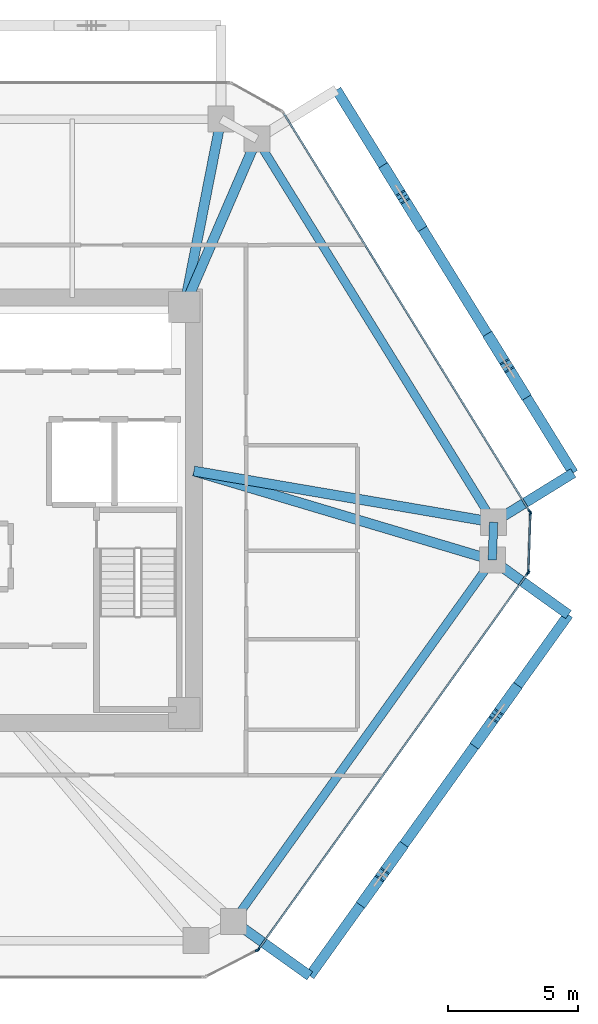
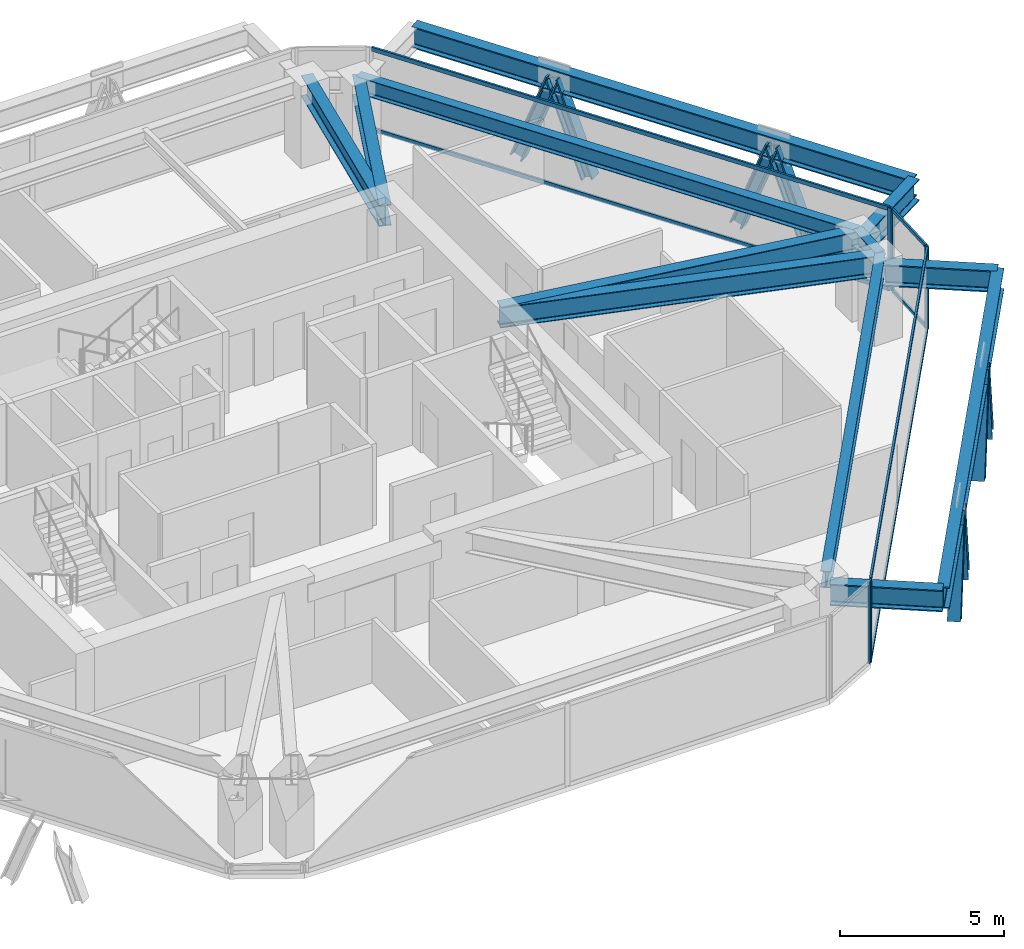
# One storey, part 5 of 13: 20 members, 12 beams, 4 elements without a shape of their own.
"""IFC4 building model written with IfcOpenShell, lengths in metres."""

from ifc_helpers import new_model, si_unit, direction, frame, origin, origin_2d, place, context, subcontext, project, spatial, rectangle, i_section, extrude, source, transform, mapped, material, layer, layer_set, material_profile, profile_set, type_object, type_shapes, element, aggregate, save


model = new_model("IFC4")

# Units and contexts
model_context = context("Model", 3, precision=1e-05, world=origin(), true_north=direction((0.0, 1.0)))
body_context = subcontext(model_context, "Body", "Model", "MODEL_VIEW")
ifc_project = project(units=[si_unit("LENGTHUNIT", "METRE"), si_unit("AREAUNIT", "SQUARE_METRE"), si_unit("VOLUMEUNIT", "CUBIC_METRE"), si_unit("PLANEANGLEUNIT", "RADIAN"), si_unit("MASSUNIT", "GRAM", prefix="KILO")], contexts=[model_context])

# Site, building, storey
site_placement = place(None, origin())
site = spatial("IfcSite", under=ifc_project, at=site_placement, CompositionType="ELEMENT")
building_placement = place(site_placement, origin())
building = spatial("IfcBuilding", under=site, at=building_placement, Name="Durnholm Broadcast Tower", CompositionType="ELEMENT")
storey_placement = place(building_placement, frame((0.0, 0.0, 167.199951171875)))
storey = spatial("IfcBuildingStorey", under=building, at=storey_placement, Name="L45", CompositionType="ELEMENT", Elevation=167.199951171875)

# Beams
ifc_material_1 = material(Name="Steel ASTM A992 Grade 50", Category="steel")
ifc_material_profile_1 = material_profile(ifc_material_1, i_section(OverallWidth=0.385009765625, OverallDepth=0.802978515625, WebThickness=0.023681640625, FlangeThickness=0.0419921875, FilletRadius=0.032958984375, at=origin_2d()), Name="W30X261")
ifc_profile_set_1 = profile_set([ifc_material_profile_1], Name="Steel ASTM A992 Grade 50")
beam_type_1 = type_object("IfcBeamType", Name="BM-EXO-TIE", PredefinedType="USERDEFINED", material=ifc_profile_set_1)
shared_shape_1 = source(origin(), body_context, "Body", "SweptSolid", [
    extrude(i_section(OverallWidth=0.385009765625, OverallDepth=0.802978515625, WebThickness=0.023681640625, FlangeThickness=0.0419921875, FilletRadius=0.032958984375, at=origin_2d()), origin(), (0.0, 0.0, 1.0), 3.4560546875),
])
for number, where, z_axis, x_axis, name in (
    (1, (11.81689453125, -15.884033203125, 2.30859375), (0.813079048773, -0.582153296346, 0.0), (0.582153296346, 0.813079048773, 0.0), "L45 exoskeleton stand-off tie bracket F2.1"),
    (2, (21.7548828125, -2.00341796875, 2.30859375), (0.813079048773, -0.582153296346, 0.0), (0.582153296346, 0.813079048773, 0.0), "L45 exoskeleton stand-off tie bracket F2.2"),
    (3, (21.8095703125, -0.3916015625, 2.30859375), (0.850662348375, 0.525712439512, 0.0), (-0.525712439512, 0.850662348375, 0.0), "L45 exoskeleton stand-off tie bracket F3.1"),
):
    element("IfcBeam", number, at=place(storey_placement, frame(where, z_axis=z_axis, x_axis=x_axis)), inside=storey, type_object=beam_type_1, Name=name, ObjectType="GIRDER", PredefinedType="USERDEFINED", context=body_context, shape_type="MappedRepresentation", body=[
        mapped(shared_shape_1, transform((0.0, 0.0, 0.0), x_axis=(1.0, 0.0, 0.0), y_axis=(0.0, 1.0, 0.0), z_axis=(0.0, 0.0, 1.0), scale=1.0)),
    ])
ifc_material_profile_2 = material_profile(ifc_material_1, i_section(OverallWidth=0.3251953125, OverallDepth=0.6162109375, WebThickness=0.013916015625, FlangeThickness=0.021484375, FilletRadius=0.02783203125, at=origin_2d()), Name="W24X117")
ifc_profile_set_2 = profile_set([ifc_material_profile_2], Name="Steel ASTM A992 Grade 50")
beam_type_2 = type_object("IfcBeamType", Name="STL-SP-W24X117", PredefinedType="SPANDREL", material=ifc_profile_set_2)
shared_shape_2 = source(origin(), body_context, "Body", "SweptSolid", [
    extrude(i_section(OverallWidth=0.3251953125, OverallDepth=0.6162109375, WebThickness=0.013916015625, FlangeThickness=0.021484375, FilletRadius=0.02783203125, at=origin_2d()), origin(), (0.0, 0.0, 1.0), 17.30322265625),
])
beam_1_placement = place(storey_placement, frame((12.5908203125, 14.252197265625, 2.737060546875), z_axis=(0.525691424148, -0.850675335588, 0.0), x_axis=(0.850675335588, 0.525691424148, 0.0)))
element("IfcBeam", 4, at=beam_1_placement, inside=storey, type_object=beam_type_2, Name="L45 perimeter spandrel girder 07", PredefinedType="SPANDREL", context=body_context, shape_type="MappedRepresentation", body=[
    mapped(shared_shape_2, transform((0.0, 0.0, 0.0), x_axis=(1.0, 0.0, 0.0), y_axis=(0.0, 1.0, 0.0), z_axis=(0.0, 0.0, 1.0), scale=1.0)),
])
shared_shape_3 = source(origin(), body_context, "Body", "SweptSolid", [
    extrude(i_section(OverallWidth=0.3251953125, OverallDepth=0.6162109375, WebThickness=0.013916015625, FlangeThickness=0.021484375, FilletRadius=0.02783203125, at=origin_2d()), origin(), (0.0, 0.0, 1.0), 1.453125),
])
beam_2_placement = place(storey_placement, frame((21.68701171875, -0.46728515625, 2.737060546875), z_axis=(-0.033767922326, -0.99942970109, 0.0), x_axis=(0.99942970109, -0.033767922326, 0.0)))
element("IfcBeam", 5, at=beam_2_placement, inside=storey, type_object=beam_type_2, Name="L45 perimeter spandrel girder 08", PredefinedType="SPANDREL", context=body_context, shape_type="MappedRepresentation", body=[
    mapped(shared_shape_3, transform((0.0, 0.0, 0.0), x_axis=(1.0, 0.0, 0.0), y_axis=(0.0, 1.0, 0.0), z_axis=(0.0, 0.0, 1.0), scale=1.0)),
])
shared_shape_4 = source(origin(), body_context, "Body", "SweptSolid", [
    extrude(i_section(OverallWidth=0.3251953125, OverallDepth=0.6162109375, WebThickness=0.013916015625, FlangeThickness=0.021484375, FilletRadius=0.02783203125, at=origin_2d()), origin(), (0.0, 0.0, 1.0), 17.071533203125),
])
type_shapes(beam_type_2, [shared_shape_2, shared_shape_3, shared_shape_4])
beam_3_placement = place(storey_placement, frame((21.637939453125, -1.919677734375, 2.737060546875), z_axis=(-0.582149612352, -0.813081686449, 0.0), x_axis=(0.813081686449, -0.582149612352, 0.0)))
element("IfcBeam", 6, at=beam_3_placement, inside=storey, type_object=beam_type_2, Name="L45 perimeter spandrel girder 09", PredefinedType="SPANDREL", context=body_context, shape_type="MappedRepresentation", body=[
    mapped(shared_shape_4, transform((0.0, 0.0, 0.0), x_axis=(1.0, 0.0, 0.0), y_axis=(0.0, 1.0, 0.0), z_axis=(0.0, 0.0, 1.0), scale=1.0)),
])
ifc_material_profile_3 = material_profile(ifc_material_1, i_section(OverallWidth=0.380615234375, OverallDepth=0.773193359375, WebThickness=0.0166015625, FlangeThickness=0.027099609375, FilletRadius=0.032958984375, at=origin_2d()), Name="W30X173")
ifc_profile_set_3 = profile_set([ifc_material_profile_3], Name="Steel ASTM A992 Grade 50")
beam_type_3 = type_object("IfcBeamType", Name="STL-GR-W30X173", PredefinedType="USERDEFINED", material=ifc_profile_set_3)
shared_shape_5 = source(origin(), body_context, "Body", "SweptSolid", [
    extrude(i_section(OverallWidth=0.380615234375, OverallDepth=0.773193359375, WebThickness=0.0166015625, FlangeThickness=0.027099609375, FilletRadius=0.032958984375, at=origin_2d()), origin(), (0.0, 0.0, 1.0), 7.35595703125),
])
beam_4_placement = place(storey_placement, frame((9.800048828125, 7.800048828125, 2.658447265625), z_axis=(0.192700221893, 0.981257674865, 0.0), x_axis=(-0.981257674865, 0.192700221893, 0.0)))
element("IfcBeam", 7, at=beam_4_placement, inside=storey, type_object=beam_type_3, Name="L45 radial primary floor girder 06", ObjectType="GIRDER", PredefinedType="USERDEFINED", context=body_context, shape_type="MappedRepresentation", body=[
    mapped(shared_shape_5, transform((0.0, 0.0, 0.0), x_axis=(1.0, 0.0, 0.0), y_axis=(0.0, 1.0, 0.0), z_axis=(0.0, 0.0, 1.0), scale=1.0)),
])
shared_shape_6 = source(origin(), body_context, "Body", "SweptSolid", [
    extrude(i_section(OverallWidth=0.380615234375, OverallDepth=0.773193359375, WebThickness=0.0166015625, FlangeThickness=0.027099609375, FilletRadius=0.032958984375, at=origin_2d()), origin(), (0.0, 0.0, 1.0), 7.02978515625),
])
beam_5_placement = place(storey_placement, frame((9.800048828125, 7.800048828125, 2.658447265625), z_axis=(0.396989434191, 0.91782317967, 0.0), x_axis=(-0.91782317967, 0.396989434191, 0.0)))
element("IfcBeam", 8, at=beam_5_placement, inside=storey, type_object=beam_type_3, Name="L45 radial primary floor girder 07", ObjectType="GIRDER", PredefinedType="USERDEFINED", context=body_context, shape_type="MappedRepresentation", body=[
    mapped(shared_shape_6, transform((0.0, 0.0, 0.0), x_axis=(1.0, 0.0, 0.0), y_axis=(0.0, 1.0, 0.0), z_axis=(0.0, 0.0, 1.0), scale=1.0)),
])
shared_shape_7 = source(origin(), body_context, "Body", "SweptSolid", [
    extrude(i_section(OverallWidth=0.385009765625, OverallDepth=0.802978515625, WebThickness=0.023681640625, FlangeThickness=0.0419921875, FilletRadius=0.032958984375, at=origin_2d()), origin(), (0.0, 0.0, 1.0), 17.071533203125),
])
beam_6_placement = place(storey_placement, frame((14.626953125, -17.89599609375, 2.30859375), z_axis=(0.582140157836, 0.813088455603, 0.0), x_axis=(-0.813088455603, 0.582140157836, 0.0)))
element("IfcBeam", 9, at=beam_6_placement, inside=storey, type_object=beam_type_1, Name="L45 exoskeleton collector spandrel F2", PredefinedType="SPANDREL", context=body_context, shape_type="MappedRepresentation", body=[
    mapped(shared_shape_7, transform((0.0, 0.0, 0.0), x_axis=(1.0, 0.0, 0.0), y_axis=(0.0, 1.0, 0.0), z_axis=(0.0, 0.0, 1.0), scale=1.0)),
])
shared_shape_8 = source(origin(), body_context, "Body", "SweptSolid", [
    extrude(i_section(OverallWidth=0.385009765625, OverallDepth=0.802978515625, WebThickness=0.023681640625, FlangeThickness=0.0419921875, FilletRadius=0.032958984375, at=origin_2d()), origin(), (0.0, 0.0, 1.0), 17.303466796875),
])
type_shapes(beam_type_1, [shared_shape_1, shared_shape_7, shared_shape_8])
beam_7_placement = place(storey_placement, frame((24.74951171875, 1.42529296875, 2.30859375), z_axis=(-0.525701634347, 0.850669025911, 0.0), x_axis=(-0.850669025911, -0.525701634347, 0.0)))
element("IfcBeam", 10, at=beam_7_placement, inside=storey, type_object=beam_type_1, Name="L45 exoskeleton collector spandrel F3", PredefinedType="SPANDREL", context=body_context, shape_type="MappedRepresentation", body=[
    mapped(shared_shape_8, transform((0.0, 0.0, 0.0), x_axis=(1.0, 0.0, 0.0), y_axis=(0.0, 1.0, 0.0), z_axis=(0.0, 0.0, 1.0), scale=1.0)),
])
shared_shape_9 = source(origin(), body_context, "Body", "SweptSolid", [
    extrude(i_section(OverallWidth=0.380615234375, OverallDepth=0.773193359375, WebThickness=0.0166015625, FlangeThickness=0.027099609375, FilletRadius=0.032958984375, at=origin_2d()), origin(), (0.0, 0.0, 1.0), 11.678955078125),
])
beam_8_placement = place(storey_placement, frame((10.175048828125, 1.5, 2.658447265625), z_axis=(0.985710446264, -0.168448556317, 0.0), x_axis=(0.168448556317, 0.985710446264, 0.0)))
element("IfcBeam", 11, at=beam_8_placement, inside=storey, type_object=beam_type_3, Name="L45 radial primary floor girder 08", ObjectType="GIRDER", PredefinedType="USERDEFINED", context=body_context, shape_type="MappedRepresentation", body=[
    mapped(shared_shape_9, transform((0.0, 0.0, 0.0), x_axis=(1.0, 0.0, 0.0), y_axis=(0.0, 1.0, 0.0), z_axis=(0.0, 0.0, 1.0), scale=1.0)),
])
shared_shape_10 = source(origin(), body_context, "Body", "SweptSolid", [
    extrude(i_section(OverallWidth=0.380615234375, OverallDepth=0.773193359375, WebThickness=0.0166015625, FlangeThickness=0.027099609375, FilletRadius=0.032958984375, at=origin_2d()), origin(), (0.0, 0.0, 1.0), 11.962158203125),
])
type_shapes(beam_type_3, [shared_shape_5, shared_shape_6, shared_shape_9, shared_shape_10])
beam_9_placement = place(storey_placement, frame((10.175048828125, 1.5, 2.658447265625), z_axis=(0.958266673737, -0.285875815706, 0.0), x_axis=(0.285875815706, 0.958266673737, 0.0)))
element("IfcBeam", 12, at=beam_9_placement, inside=storey, type_object=beam_type_3, Name="L45 radial primary floor girder 09", ObjectType="GIRDER", PredefinedType="USERDEFINED", context=body_context, shape_type="MappedRepresentation", body=[
    mapped(shared_shape_10, transform((0.0, 0.0, 0.0), x_axis=(1.0, 0.0, 0.0), y_axis=(0.0, 1.0, 0.0), z_axis=(0.0, 0.0, 1.0), scale=1.0)),
])

# Members
ifc_material_2 = material(Name="Steel ASTM A913 Grade 65", Category="steel")
ifc_material_profile_4 = material_profile(ifc_material_2, i_section(OverallWidth=0.412109375, OverallDepth=0.434814453125, WebThickness=0.035888671875, FlangeThickness=0.057373046875, FilletRadius=0.030517578125, at=origin_2d()), Name="W14X311")
ifc_profile_set_4 = profile_set([ifc_material_profile_4], Name="Steel ASTM A913 Grade 65")
member_type_1 = type_object("IfcMemberType", Name="STL-DG-W14X311", PredefinedType="BRACE", material=ifc_profile_set_4)
shared_shape_11 = source(origin(), body_context, "Body", "SweptSolid", [
    extrude(i_section(OverallWidth=0.412109375, OverallDepth=0.434814453125, WebThickness=0.035888671875, FlangeThickness=0.057373046875, FilletRadius=0.030517578125, at=origin_2d()), origin(), (0.0, 0.0, 1.0), 3.523193359375),
])
for number, where, z_axis, x_axis, name in (
    (13, (16.69140625, -15.0126953125, -0.991455078125), (0.203869234398, 0.284737826017, 0.936675880815), (-0.813077820009, 0.582155012526, 0.0), "L45 stand-off diagrid brace F2.D1.1"),
    (14, (18.1279296875, -13.00634765625, -0.991455078125), (-0.203869234398, -0.284737826017, 0.936675880815), (0.813077820009, -0.582155012526, 0.0), "L45 stand-off diagrid brace F2.D1.2"),
    (15, (21.064208984375, -8.905029296875, -0.991455078125), (0.203869234398, 0.284737826017, 0.936675880815), (-0.813077820009, 0.582155012526, 0.0), "L45 stand-off diagrid brace F2.D2.1"),
    (16, (22.50048828125, -6.898681640625, -0.991455078125), (-0.203802816986, -0.284741848009, 0.936689111595), (0.813171482985, -0.58202417412, 0.0), "L45 stand-off diagrid brace F2.D2.2"),
    (17, (22.85107421875, 4.497314453125, -0.991455078125), (-0.18411903749, 0.297902800967, 0.936671821509), (-0.850644447398, -0.525741404219, 0.0), "L45 stand-off diagrid brace F3.D1.1"),
    (18, (17.551513671875, 13.072998046875, -0.991455078125), (0.184115236318, -0.297965945114, 0.936652483746), (0.850699125742, 0.525652924906, 0.0), "L45 stand-off diagrid brace F3.D2.2"),
):
    element("IfcMember", number, at=place(storey_placement, frame(where, z_axis=z_axis, x_axis=x_axis)), inside=storey, type_object=member_type_1, Name=name, PredefinedType="BRACE", context=body_context, shape_type="MappedRepresentation", body=[
        mapped(shared_shape_11, transform((0.0, 0.0, 0.0), x_axis=(1.0, 0.0, 0.0), y_axis=(0.0, 1.0, 0.0), z_axis=(0.0, 0.0, 1.0), scale=1.0)),
    ])
shared_shape_12 = source(origin(), body_context, "Body", "SweptSolid", [
    extrude(i_section(OverallWidth=0.412109375, OverallDepth=0.434814453125, WebThickness=0.035888671875, FlangeThickness=0.057373046875, FilletRadius=0.030517578125, at=origin_2d()), origin(), (0.0, 0.0, 1.0), 3.52294921875),
])
type_shapes(member_type_1, [shared_shape_11, shared_shape_12])
for number, where, z_axis, x_axis, name in (
    (19, (21.553955078125, 6.59619140625, -0.991455078125), (0.184055888727, -0.297843452465, 0.936703105391), (0.85067825406, 0.525686701439, 0.0), "L45 stand-off diagrid brace F3.D1.2"),
    (20, (18.8486328125, 10.973876953125, -0.991455078125), (-0.184055888727, 0.297843452465, 0.936703105391), (-0.85067825406, -0.525686701439, 0.0), "L45 stand-off diagrid brace F3.D2.1"),
):
    element("IfcMember", number, at=place(storey_placement, frame(where, z_axis=z_axis, x_axis=x_axis)), inside=storey, type_object=member_type_1, Name=name, PredefinedType="BRACE", context=body_context, shape_type="MappedRepresentation", body=[
        mapped(shared_shape_12, transform((0.0, 0.0, 0.0), x_axis=(1.0, 0.0, 0.0), y_axis=(0.0, 1.0, 0.0), z_axis=(0.0, 0.0, 1.0), scale=1.0)),
    ])

# Curtain wall, members
ifc_material_3 = material(Name="Aluminium and Solar Control IGU", Category="aluminium")
ifc_layer_1 = layer(ifc_material_3, 0.1650390625)
ifc_layer_set_1 = layer_set([ifc_layer_1], Name="Aluminium and Solar Control IGU")
curtain_wall_type_1 = type_object("IfcCurtainWallType", Name="CW-SYS-5", PredefinedType="NOTDEFINED", material=ifc_layer_set_1)
curtain_wall_1_placement = place(storey_placement, origin())
curtain_wall_1 = element("IfcCurtainWall", 21, at=curtain_wall_1_placement, inside=storey, type_object=curtain_wall_type_1, Name="L45 curtain wall CW-CORNER CW-L45-CRN-07", PredefinedType="NOTDEFINED")
ifc_material_4 = material(Name="Aluminium 6063-T6", Category="aluminium")
ifc_material_profile_5 = material_profile(ifc_material_4, rectangle(XDim=0.06494140625, YDim=0.1650390625, at=origin_2d()), Name="CWM65X165")
ifc_profile_set_5 = profile_set([ifc_material_profile_5], Name="Aluminium 6063-T6")
member_type_2 = type_object("IfcMemberType", Name="CW-SYS-5-MUL", PredefinedType="MULLION", material=ifc_profile_set_5)
shared_shape_13 = source(origin(), body_context, "Body", "SweptSolid", [
    extrude(rectangle(XDim=0.06494140625, YDim=0.1650390625, at=origin_2d()), origin(), (0.0, 0.0, 1.0), 3.06005859375),
])
type_shapes(member_type_2, [shared_shape_13])
member_1_placement = place(storey_placement, frame((23.099609375, -0.1240234375, 0.0), z_axis=(0.0, 0.0, 1.0), x_axis=(0.999424798802, -0.033912704699, 0.0)))
member_1 = element("IfcMember", 22, at=member_1_placement, type_object=member_type_2, Name="CW-CORNER mullion 1", PredefinedType="MULLION", context=body_context, shape_type="MappedRepresentation", body=[
    mapped(shared_shape_13, transform((0.0, 0.0, 0.0), x_axis=(1.0, 0.0, 0.0), y_axis=(0.0, 1.0, 0.0), z_axis=(0.0, 0.0, 1.0), scale=1.0)),
])
member_2_placement = place(storey_placement, frame((23.023681640625, -2.35791015625, 0.0), z_axis=(0.0, 0.0, 1.0), x_axis=(0.999424798802, -0.033912704699, 0.0)))
member_2 = element("IfcMember", 23, at=member_2_placement, type_object=member_type_2, Name="CW-CORNER mullion 2", PredefinedType="MULLION", context=body_context, shape_type="MappedRepresentation", body=[
    mapped(shared_shape_13, transform((0.0, 0.0, 0.0), x_axis=(1.0, 0.0, 0.0), y_axis=(0.0, 1.0, 0.0), z_axis=(0.0, 0.0, 1.0), scale=1.0)),
])

# Curtain wall, member
curtain_wall_2_placement = place(storey_placement, origin())
curtain_wall_2 = element("IfcCurtainWall", 24, at=curtain_wall_2_placement, inside=storey, type_object=curtain_wall_type_1, Name="L45 curtain wall CW-CORNER CW-L45-CRN-09", PredefinedType="NOTDEFINED")
member_3_placement = place(storey_placement, frame((12.612060546875, -16.905517578125, 0.0), z_axis=(0.0, 0.0, 1.0), x_axis=(0.457081764476, -0.889424679545, 0.0)))
member_3 = element("IfcMember", 25, at=member_3_placement, type_object=member_type_2, Name="CW-CORNER mullion 1", PredefinedType="MULLION", context=body_context, shape_type="MappedRepresentation", body=[
    mapped(shared_shape_13, transform((0.0, 0.0, 0.0), x_axis=(1.0, 0.0, 0.0), y_axis=(0.0, 1.0, 0.0), z_axis=(0.0, 0.0, 1.0), scale=1.0)),
])
aggregate(curtain_wall_2, [member_3])

# Member
ifc_material_profile_6 = material_profile(ifc_material_4, rectangle(XDim=0.06494140625, YDim=0.1298828125, at=origin_2d()), Name="CWT65X130")
ifc_profile_set_6 = profile_set([ifc_material_profile_6], Name="Aluminium 6063-T6")
member_type_3 = type_object("IfcMemberType", Name="CW-SYS-5-TRN", PredefinedType="USERDEFINED", material=ifc_profile_set_6)
shared_shape_14 = source(origin(), body_context, "Body", "SweptSolid", [
    extrude(rectangle(XDim=0.06494140625, YDim=0.1298828125, at=origin_2d()), origin(), (0.0, 0.0, 1.0), 2.170166015625),
])
type_shapes(member_type_3, [shared_shape_14])
member_4_placement = place(storey_placement, frame((23.098388671875, -0.156494140625, 0.032470703125), z_axis=(-0.033861704743, -0.999426528041, 0.0), x_axis=(0.999426528041, -0.033861704743, 0.0)))
member_4 = element("IfcMember", 26, at=member_4_placement, type_object=member_type_3, Name="CW-CORNER transom 1.1", ObjectType="TRANSOM", PredefinedType="USERDEFINED", context=body_context, shape_type="MappedRepresentation", body=[
    mapped(shared_shape_14, transform((0.0, 0.0, 0.0), x_axis=(1.0, 0.0, 0.0), y_axis=(0.0, 1.0, 0.0), z_axis=(0.0, 0.0, 1.0), scale=1.0)),
])

member_5_placement = place(storey_placement, frame((23.098388671875, -0.156494140625, 3.027587890625), z_axis=(-0.033861704743, -0.999426528041, 0.0), x_axis=(0.999426528041, -0.033861704743, 0.0)))
member_5 = element("IfcMember", 27, at=member_5_placement, type_object=member_type_3, Name="CW-CORNER transom 1.2", ObjectType="TRANSOM", PredefinedType="USERDEFINED", context=body_context, shape_type="MappedRepresentation", body=[
    mapped(shared_shape_14, transform((0.0, 0.0, 0.0), x_axis=(1.0, 0.0, 0.0), y_axis=(0.0, 1.0, 0.0), z_axis=(0.0, 0.0, 1.0), scale=1.0)),
])

aggregate(curtain_wall_1, [member_1, member_2, member_4, member_5])

# Curtain wall, members
ifc_layer_2 = layer(ifc_material_3, 0.18994140625)
ifc_layer_set_2 = layer_set([ifc_layer_2], Name="Aluminium and Solar Control IGU")
curtain_wall_type_2 = type_object("IfcCurtainWallType", Name="CW-SYS-4", PredefinedType="NOTDEFINED", material=ifc_layer_set_2)
curtain_wall_3_placement = place(storey_placement, origin())
curtain_wall_3 = element("IfcCurtainWall", 28, at=curtain_wall_3_placement, inside=storey, type_object=curtain_wall_type_2, Name="L45 curtain wall CW-Z34-VIS CW-L45-F06", PredefinedType="NOTDEFINED")
ifc_material_profile_7 = material_profile(ifc_material_4, rectangle(XDim=0.070068359375, YDim=0.14990234375, at=origin_2d()), Name="CWT70X150")
ifc_profile_set_7 = profile_set([ifc_material_profile_7], Name="Aluminium 6063-T6")
member_type_4 = type_object("IfcMemberType", Name="CW-SYS-4-TRN", PredefinedType="USERDEFINED", material=ifc_profile_set_7)
shared_shape_15 = source(origin(), body_context, "Body", "SweptSolid", [
    extrude(rectangle(XDim=0.070068359375, YDim=0.14990234375, at=origin_2d()), origin(), (0.0, 0.0, 1.0), 17.950927734375),
])
member_6_placement = place(storey_placement, frame((13.627197265625, 15.23828125, 0.03515625), z_axis=(0.525699895853, -0.850670100274, 0.0), x_axis=(0.850670100274, 0.525699895853, 0.0)))
member_6 = element("IfcMember", 29, at=member_6_placement, type_object=member_type_4, Name="CW-Z34-VIS transom 1.1", ObjectType="TRANSOM", PredefinedType="USERDEFINED", context=body_context, shape_type="MappedRepresentation", body=[
    mapped(shared_shape_15, transform((0.0, 0.0, 0.0), x_axis=(1.0, 0.0, 0.0), y_axis=(0.0, 1.0, 0.0), z_axis=(0.0, 0.0, 1.0), scale=1.0)),
])
member_7_placement = place(storey_placement, frame((13.627197265625, 15.23828125, 3.025146484375), z_axis=(0.525699895853, -0.850670100274, 0.0), x_axis=(0.850670100274, 0.525699895853, 0.0)))
member_7 = element("IfcMember", 30, at=member_7_placement, type_object=member_type_4, Name="CW-Z34-VIS transom 1.2", ObjectType="TRANSOM", PredefinedType="USERDEFINED", context=body_context, shape_type="MappedRepresentation", body=[
    mapped(shared_shape_15, transform((0.0, 0.0, 0.0), x_axis=(1.0, 0.0, 0.0), y_axis=(0.0, 1.0, 0.0), z_axis=(0.0, 0.0, 1.0), scale=1.0)),
])

curtain_wall_4_placement = place(storey_placement, origin())
curtain_wall_4 = element("IfcCurtainWall", 31, at=curtain_wall_4_placement, inside=storey, type_object=curtain_wall_type_2, Name="L45 curtain wall CW-Z34-VIS CW-L45-F08", PredefinedType="NOTDEFINED")
shared_shape_16 = source(origin(), body_context, "Body", "SweptSolid", [
    extrude(rectangle(XDim=0.070068359375, YDim=0.14990234375, at=origin_2d()), origin(), (0.0, 0.0, 1.0), 17.693603515625),
])
type_shapes(member_type_4, [shared_shape_15, shared_shape_16])
member_8_placement = place(storey_placement, frame((22.98193359375, -2.447265625, 0.03515625), z_axis=(-0.582144969277, -0.813085010774, 0.0), x_axis=(0.813085010774, -0.582144969277, 0.0)))
member_8 = element("IfcMember", 32, at=member_8_placement, type_object=member_type_4, Name="CW-Z34-VIS transom 1.1", ObjectType="TRANSOM", PredefinedType="USERDEFINED", context=body_context, shape_type="MappedRepresentation", body=[
    mapped(shared_shape_16, transform((0.0, 0.0, 0.0), x_axis=(1.0, 0.0, 0.0), y_axis=(0.0, 1.0, 0.0), z_axis=(0.0, 0.0, 1.0), scale=1.0)),
])
member_9_placement = place(storey_placement, frame((22.98193359375, -2.447265625, 3.025146484375), z_axis=(-0.582144969277, -0.813085010774, 0.0), x_axis=(0.813085010774, -0.582144969277, 0.0)))
member_9 = element("IfcMember", 33, at=member_9_placement, type_object=member_type_4, Name="CW-Z34-VIS transom 1.2", ObjectType="TRANSOM", PredefinedType="USERDEFINED", context=body_context, shape_type="MappedRepresentation", body=[
    mapped(shared_shape_16, transform((0.0, 0.0, 0.0), x_axis=(1.0, 0.0, 0.0), y_axis=(0.0, 1.0, 0.0), z_axis=(0.0, 0.0, 1.0), scale=1.0)),
])

# Member
ifc_material_profile_8 = material_profile(ifc_material_4, rectangle(XDim=0.070068359375, YDim=0.18994140625, at=origin_2d()), Name="CWM70X190")
ifc_profile_set_8 = profile_set([ifc_material_profile_8], Name="Aluminium 6063-T6")
member_type_5 = type_object("IfcMemberType", Name="CW-SYS-4-MUL", PredefinedType="MULLION", material=ifc_profile_set_8)
shared_shape_17 = source(origin(), body_context, "Body", "SweptSolid", [
    extrude(rectangle(XDim=0.070068359375, YDim=0.18994140625, at=origin_2d()), origin(), (0.0, 0.0, 1.0), 3.06005859375),
])
type_shapes(member_type_5, [shared_shape_17])
member_10_placement = place(storey_placement, frame((23.082275390625, -0.061767578125, 0.0), z_axis=(0.0, 0.0, 1.0), x_axis=(0.850671426092, 0.525697750452, 0.0)))
member_10 = element("IfcMember", 34, at=member_10_placement, type_object=member_type_5, Name="CW-Z34-VIS mullion 2", PredefinedType="MULLION", context=body_context, shape_type="MappedRepresentation", body=[
    mapped(shared_shape_17, transform((0.0, 0.0, 0.0), x_axis=(1.0, 0.0, 0.0), y_axis=(0.0, 1.0, 0.0), z_axis=(0.0, 0.0, 1.0), scale=1.0)),
])

aggregate(curtain_wall_3, [member_10, member_6, member_7])

member_11_placement = place(storey_placement, frame((23.00244140625, -2.418701171875, 0.0), z_axis=(0.0, 0.0, 1.0), x_axis=(0.813089262696, -0.582139030549, 0.0)))
member_11 = element("IfcMember", 35, at=member_11_placement, type_object=member_type_5, Name="CW-Z34-VIS mullion 1", PredefinedType="MULLION", context=body_context, shape_type="MappedRepresentation", body=[
    mapped(shared_shape_17, transform((0.0, 0.0, 0.0), x_axis=(1.0, 0.0, 0.0), y_axis=(0.0, 1.0, 0.0), z_axis=(0.0, 0.0, 1.0), scale=1.0)),
])

member_12_placement = place(storey_placement, frame((12.661376953125, -16.8623046875, 0.0), z_axis=(0.0, 0.0, 1.0), x_axis=(0.813089262696, -0.582139030549, 0.0)))
member_12 = element("IfcMember", 36, at=member_12_placement, type_object=member_type_5, Name="CW-Z34-VIS mullion 2", PredefinedType="MULLION", context=body_context, shape_type="MappedRepresentation", body=[
    mapped(shared_shape_17, transform((0.0, 0.0, 0.0), x_axis=(1.0, 0.0, 0.0), y_axis=(0.0, 1.0, 0.0), z_axis=(0.0, 0.0, 1.0), scale=1.0)),
])

aggregate(curtain_wall_4, [member_11, member_12, member_8, member_9])

save(model, "model.ifc")
